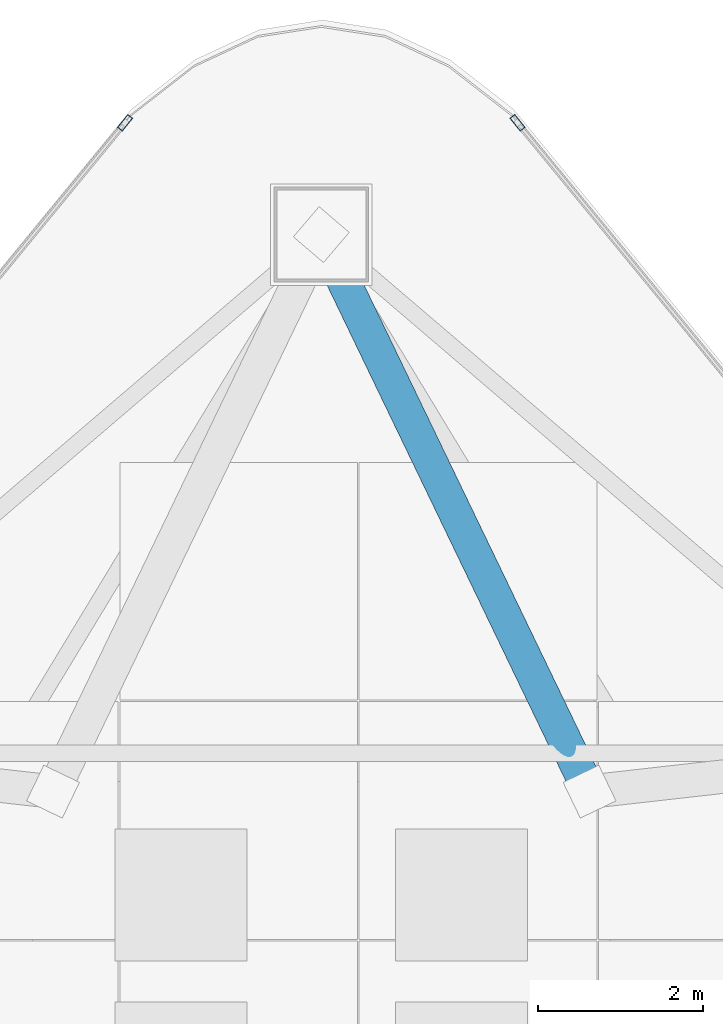
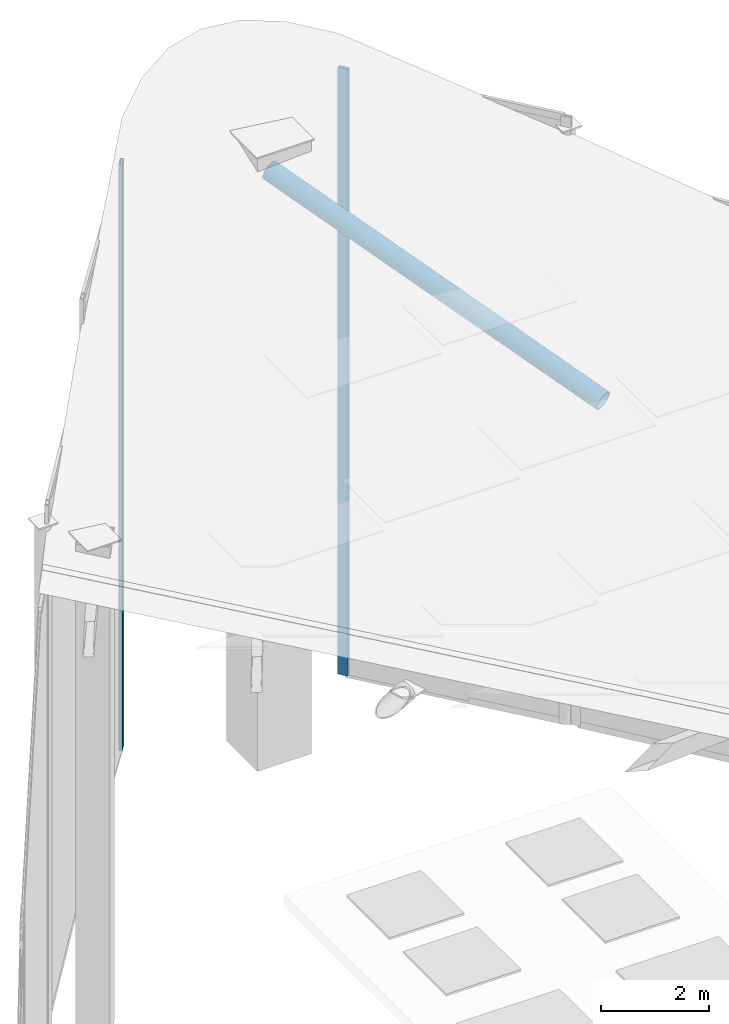
# One storey, part 16 of 21: 3 members, 2 elements without a shape of their own.
"""IFC4 building model written with IfcOpenShell, lengths in metres."""

from ifc_helpers import new_model, si_unit, direction, frame, origin, origin_2d, place, context, subcontext, project, spatial, hollow_rectangle, hollow_circle, extrude, material, layer, layer_set, material_profile, profile_set, type_object, element, aggregate, save


model = new_model("IFC4")

# Units and contexts
model_context = context("Model", 3, precision=1e-05, world=origin(), true_north=direction((0.0, 1.0)))
body_context = subcontext(model_context, "Body", "Model", "MODEL_VIEW")
ifc_project = project(units=[si_unit("LENGTHUNIT", "METRE"), si_unit("AREAUNIT", "SQUARE_METRE"), si_unit("VOLUMEUNIT", "CUBIC_METRE"), si_unit("PLANEANGLEUNIT", "RADIAN"), si_unit("MASSUNIT", "GRAM", prefix="KILO")], contexts=[model_context])

# Site, building, storey
site_placement = place(None, origin())
site = spatial("IfcSite", under=ifc_project, at=site_placement, CompositionType="ELEMENT")
building_placement = place(site_placement, origin())
building = spatial("IfcBuilding", under=site, at=building_placement, Name="Orvanel Arch Residences", CompositionType="ELEMENT")
storey_placement = place(building_placement, frame((0.0, 0.0, 314.89990234375)))
storey = spatial("IfcBuildingStorey", under=building, at=storey_placement, Name="RF", CompositionType="ELEMENT", Elevation=314.89990234375)

# Curtain wall, member
ifc_material_1 = material(Name="Bronze-anodised aluminium AA6063-T6", Category="aluminium")
ifc_layer = layer(ifc_material_1, 0.2099609375)
ifc_layer_set = layer_set([ifc_layer], Name="Bronze-anodised aluminium AA6063-T6")
curtain_wall_type = type_object("IfcCurtainWallType", Name="CW7-TOP-SYS", PredefinedType="NOTDEFINED", material=ifc_layer_set)
curtain_wall_1_placement = place(storey_placement, origin())
curtain_wall_1 = element("IfcCurtainWall", 1, at=curtain_wall_1_placement, inside=storey, type_object=curtain_wall_type, Name="RF CW7-TOP-SYS Unitised Curtain Wall", PredefinedType="NOTDEFINED")
ifc_material_profile_1 = material_profile(ifc_material_1, hollow_rectangle(XDim=0.074951171875, YDim=0.199951171875, WallThickness=0.0048828125, at=origin_2d()), Name="ALU200x75x5")
ifc_profile_set_1 = profile_set([ifc_material_profile_1], Name="Bronze-anodised aluminium AA6063-T6")
member_type_1 = type_object("IfcMemberType", Name="MUL-200x75", PredefinedType="MULLION", material=ifc_profile_set_1)
member_1_placement = place(storey_placement, frame((30.623291015625, 42.7529296875, 0.0), z_axis=(0.0, 0.0, 1.0), x_axis=(0.773022919572, -0.634378093739, 0.0)))
member_1 = element("IfcMember", 2, at=member_1_placement, type_object=member_type_1, Name="CW-S7 mullion 1", PredefinedType="MULLION", context=body_context, shape_type="SweptSolid", body=[
    extrude(hollow_rectangle(XDim=0.074951171875, YDim=0.199951171875, WallThickness=0.0048828125, at=origin_2d()), origin(), (0.0, 0.0, 1.0), 13.260009765625),
])
aggregate(curtain_wall_1, [member_1])

curtain_wall_2_placement = place(storey_placement, origin())
curtain_wall_2 = element("IfcCurtainWall", 3, at=curtain_wall_2_placement, inside=storey, type_object=curtain_wall_type, Name="RF CW7-TOP-SYS Unitised Curtain Wall", PredefinedType="NOTDEFINED")
member_2_placement = place(storey_placement, frame((35.376708984375, 42.7529296875, 0.0), z_axis=(0.0, 0.0, 1.0), x_axis=(-0.773022919572, -0.634378093739, 0.0)))
member_2 = element("IfcMember", 4, at=member_2_placement, type_object=member_type_1, Name="CW-S7 mullion 2", PredefinedType="MULLION", context=body_context, shape_type="SweptSolid", body=[
    extrude(hollow_rectangle(XDim=0.074951171875, YDim=0.199951171875, WallThickness=0.0048828125, at=origin_2d()), origin(), (0.0, 0.0, 1.0), 13.714111328125),
])
aggregate(curtain_wall_2, [member_2])

# Member
ifc_material_2 = material(Name="Structural steel AS/NZS 1163 C350L0 (Grade 350)", Category="steel")
ifc_material_profile_2 = material_profile(ifc_material_2, hollow_circle(Radius=0.202880859375, WallThickness=0.01611328125, at=origin_2d()), Name="CHS406x16")
ifc_profile_set_2 = profile_set([ifc_material_profile_2], Name="Structural steel AS/NZS 1163 C350L0 (Grade 350)")
member_type_2 = type_object("IfcMemberType", Name="RF-406CHS-EXT", PredefinedType="RAFTER", material=ifc_profile_set_2)
member_3_placement = place(storey_placement, frame((36.25, 34.64990234375, 10.787109375), z_axis=(-0.415294306443, 0.862284752861, 0.289820020046), x_axis=(-0.900952588548, -0.433917541923, 0.0)))
element("IfcMember", 5, at=member_3_placement, inside=storey, type_object=member_type_2, Name="RF Slanted Crown Structural Soffit Rafter 09", PredefinedType="RAFTER", context=body_context, shape_type="SweptSolid", body=[
    extrude(hollow_circle(Radius=0.202880859375, WallThickness=0.01611328125, at=origin_2d()), origin(), (0.0, 0.0, 1.0), 7.82568359375),
])

save(model, "model.ifc")
